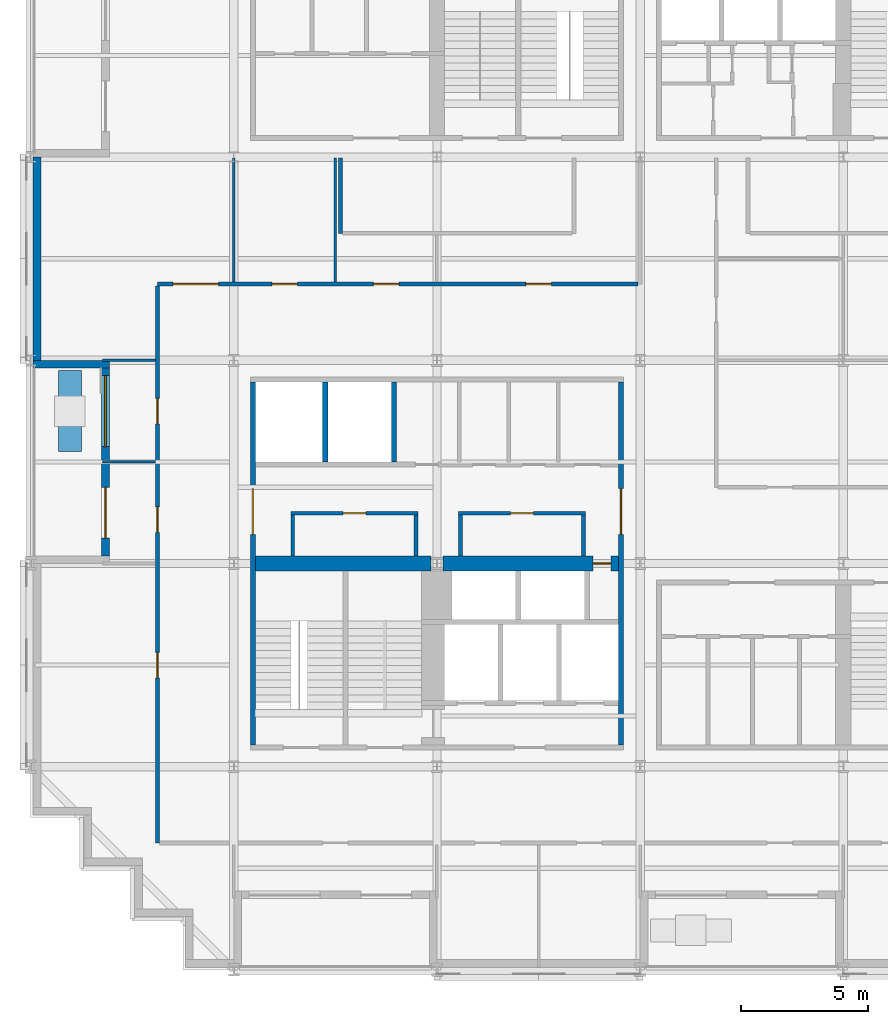
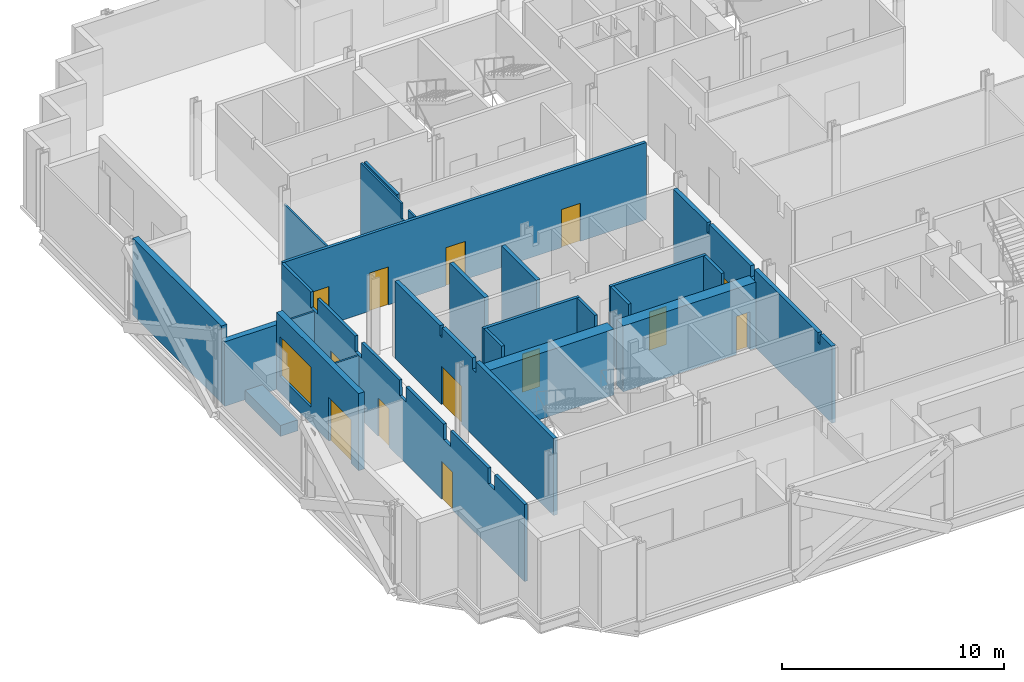
# One storey, part 6 of 14: 23 walls, 13 doors, 1 window, 14 openings.
"""IFC4 building model written with IfcOpenShell, lengths in metres."""

from ifc_helpers import new_model, si_unit, direction, frame, frame_2d, origin, place, context, subcontext, project, spatial, polyline, rectangle, outline, extrude, material, layer, layer_set, type_object, element, fill, save


model = new_model("IFC4")

# Units and contexts
model_context = context("Model", 3, precision=1e-05, world=origin(), true_north=direction((0.0, 1.0)))
body_context = subcontext(model_context, "Body", "Model", "MODEL_VIEW")
ifc_project = project(units=[si_unit("LENGTHUNIT", "METRE"), si_unit("AREAUNIT", "SQUARE_METRE"), si_unit("VOLUMEUNIT", "CUBIC_METRE"), si_unit("PLANEANGLEUNIT", "RADIAN"), si_unit("MASSUNIT", "GRAM", prefix="KILO")], contexts=[model_context])

# Site, building, storey
site_placement = place(None, origin())
site = spatial("IfcSite", under=ifc_project, at=site_placement, CompositionType="ELEMENT")
building_placement = place(site_placement, origin())
building = spatial("IfcBuilding", under=site, at=building_placement, Name="Immortelle Media Tower", CompositionType="ELEMENT")
storey_placement = place(building_placement, frame((0.0, 0.0, 48.0)))
storey = spatial("IfcBuildingStorey", under=building, at=storey_placement, Name="L07", CompositionType="ELEMENT", Elevation=48.0)

# Wall, opening, door
ifc_material_1 = material(Name="Fire-rated masonry blockwork", Category="masonry")
ifc_layer_1 = layer(ifc_material_1, 0.60009765625)
ifc_layer_set_1 = layer_set([ifc_layer_1], Name="Fire-rated masonry blockwork")
wall_type_1 = type_object("IfcWallType", Name="Core grid-line wall 600", PredefinedType="PARTITIONING", material=ifc_layer_set_1)
wall_1_placement = place(storey_placement, frame((16.237548828125, 16.0, 0.0), z_axis=(0.0, 0.0, 1.0), x_axis=(1.0, 0.0, 0.0)))
wall_1 = element("IfcWall", 1, at=wall_1_placement, inside=storey, type_object=wall_type_1, Name="Core grid-line wall SW", PredefinedType="PARTITIONING", context=body_context, shape_type="SweptSolid", body=[
    extrude(rectangle(XDim=6.912353515625, YDim=0.60009765625, at=frame_2d((3.4560546875, 0.0))), origin(), (0.0, 0.0, 1.0), 3.632080078125),
])
opening_1_placement = place(wall_1_placement, frame((6.612548828125, 0.0, 0.0), z_axis=(0.0, 0.0, 1.0), x_axis=(-1.0, 0.0, 0.0)))
opening_1 = element("IfcOpeningElement", 2, at=opening_1_placement, cuts=wall_1, Name="Opening N2-K015", PredefinedType="OPENING", context=body_context, shape_type="SweptSolid", body=[
    extrude(rectangle(XDim=0.699951171875, YDim=2.10009765625, at=frame_2d((0.35009765625, 1.050048828125))), frame((0.0, 0.31005859375, 0.0), z_axis=(0.0, -1.0, 0.0), x_axis=(1.0, 0.0, 0.0)), (0.0, 0.0, 1.0), 0.6201171875),
])
ifc_material_2 = material(Name="Galvanised steel door leaf and frame ASTM A653", Category="steel")
door_type_1 = type_object("IfcDoorType", Name="Service door 700 x 2100", OperationType="NOTDEFINED", PredefinedType="NOTDEFINED", material=ifc_material_2)
door_1_placement = place(opening_1_placement, origin())
door_1 = element("IfcDoor", 3, at=door_1_placement, inside=storey, type_object=door_type_1, Name="Service N2-K015", OperationType="SINGLE_SWING_RIGHT", OverallHeight=2.10009765625, OverallWidth=0.699951171875, PredefinedType="NOTDEFINED", context=body_context, shape_type="SweptSolid", body=[
    extrude(rectangle(XDim=0.699951171875, YDim=2.10009765625, at=frame_2d((0.35009765625, 1.050048828125))), frame((0.0, 0.02490234375, 0.0), z_axis=(0.0, -1.0, 0.0), x_axis=(1.0, 0.0, 0.0)), (0.0, 0.0, 1.0), 0.050048828125),
])
fill(opening_1, door_1)

# Wall
ifc_material_3 = material(Name="Fire-rated gypsum board", Category="gypsum")
ifc_layer_2 = layer(ifc_material_3, 0.02490234375)
ifc_material_4 = material(Name="Steel ASTM A653 SS Gr 50 stud frame with mineral wool", Category="steel")
ifc_layer_3 = layer(ifc_material_4, 0.10009765625)
ifc_layer_4 = layer(ifc_material_3, 0.02490234375)
ifc_layer_set_2 = layer_set([ifc_layer_2, ifc_layer_3, ifc_layer_4], Name="Steel ASTM A653 SS Gr 50 stud frame with mineral wool")
wall_type_2 = type_object("IfcWallType", Name="Core partition 150", PredefinedType="PARTITIONING", material=ifc_layer_set_2)
wall_2_placement = place(storey_placement, frame((10.324951171875, 16.300048828125, 0.0), z_axis=(0.0, 0.0, 1.0), x_axis=(0.0, 1.0, 0.0)))
element("IfcWall", 4, at=wall_2_placement, inside=storey, type_object=wall_type_2, Name="Core partition SW", PredefinedType="PARTITIONING", context=body_context, shape_type="SweptSolid", body=[
    extrude(rectangle(XDim=1.599853515625, YDim=0.14990234375, at=frame_2d((0.7998046875, 0.0))), origin(), (0.0, 0.0, 1.0), 4.25),
])

# Wall, opening, door
wall_3_placement = place(storey_placement, frame((10.25, 17.97509765625, 0.0), z_axis=(0.0, 0.0, 1.0), x_axis=(1.0, 0.0, 0.0)))
wall_3 = element("IfcWall", 5, at=wall_3_placement, inside=storey, type_object=wall_type_2, Name="Core partition SW", PredefinedType="PARTITIONING", context=body_context, shape_type="SweptSolid", body=[
    extrude(rectangle(XDim=5.0, YDim=0.14990234375, at=frame_2d((2.5, 0.0))), origin(), (0.0, 0.0, 1.0), 4.25),
])
opening_2_placement = place(wall_3_placement, frame((2.949951171875, 0.0, 0.0), z_axis=(0.0, 0.0, 1.0), x_axis=(-1.0, 0.0, 0.0)))
opening_2 = element("IfcOpeningElement", 6, at=opening_2_placement, cuts=wall_3, Name="Opening N2-K003", PredefinedType="OPENING", context=body_context, shape_type="SweptSolid", body=[
    extrude(rectangle(XDim=0.89990234375, YDim=2.10009765625, at=frame_2d((0.449951171875, 1.050048828125))), frame((0.0, 0.0849609375, 0.0), z_axis=(0.0, -1.0, 0.0), x_axis=(1.0, 0.0, 0.0)), (0.0, 0.0, 1.0), 0.169921875),
])
ifc_material_5 = material(Name="Timber", Category="wood")
door_type_2 = type_object("IfcDoorType", Name="Room door 900 x 2100", OperationType="NOTDEFINED", PredefinedType="NOTDEFINED", material=ifc_material_5)
door_2_placement = place(opening_2_placement, origin())
door_2 = element("IfcDoor", 7, at=door_2_placement, inside=storey, type_object=door_type_2, Name="Room N2-K003", OperationType="SINGLE_SWING_RIGHT", OverallHeight=2.10009765625, OverallWidth=0.89990234375, PredefinedType="NOTDEFINED", context=body_context, shape_type="SweptSolid", body=[
    extrude(rectangle(XDim=0.89990234375, YDim=2.10009765625, at=frame_2d((0.449951171875, 1.050048828125))), frame((0.0, 0.02490234375, 0.0), z_axis=(0.0, -1.0, 0.0), x_axis=(1.0, 0.0, 0.0)), (0.0, 0.0, 1.0), 0.050048828125),
])
fill(opening_2, door_2)

# Walls
for number, where, z_axis, x_axis, name in (
    (8, (15.175048828125, 16.300048828125, 0.0), (0.0, 0.0, 1.0), (0.0, 1.0, 0.0), "Core partition SW"),
    (9, (16.925048828125, 16.300048828125, 0.0), (0.0, 0.0, 1.0), (0.0, 1.0, 0.0), "Core partition SW"),
):
    element("IfcWall", number, at=place(storey_placement, frame(where, z_axis=z_axis, x_axis=x_axis)), inside=storey, type_object=wall_type_2, Name=name, PredefinedType="PARTITIONING", context=body_context, shape_type="SweptSolid", body=[
        extrude(rectangle(XDim=1.599853515625, YDim=0.14990234375, at=frame_2d((0.7998046875, 0.0))), origin(), (0.0, 0.0, 1.0), 4.25),
    ])

# Wall, opening, door
wall_4_placement = place(storey_placement, frame((16.85009765625, 17.97509765625, 0.0), z_axis=(0.0, 0.0, 1.0), x_axis=(1.0, 0.0, 0.0)))
wall_4 = element("IfcWall", 10, at=wall_4_placement, inside=storey, type_object=wall_type_2, Name="Core partition SW", PredefinedType="PARTITIONING", context=body_context, shape_type="SweptSolid", body=[
    extrude(rectangle(XDim=5.0, YDim=0.14990234375, at=frame_2d((2.5, 0.0))), origin(), (0.0, 0.0, 1.0), 4.25),
])
opening_3_placement = place(wall_4_placement, frame((2.949951171875, 0.0, 0.0), z_axis=(0.0, 0.0, 1.0), x_axis=(-1.0, 0.0, 0.0)))
opening_3 = element("IfcOpeningElement", 11, at=opening_3_placement, cuts=wall_4, Name="Opening N2-K009", PredefinedType="OPENING", context=body_context, shape_type="SweptSolid", body=[
    extrude(rectangle(XDim=0.89990234375, YDim=2.10009765625, at=frame_2d((0.449951171875, 1.050048828125))), frame((0.0, 0.0849609375, 0.0), z_axis=(0.0, -1.0, 0.0), x_axis=(1.0, 0.0, 0.0)), (0.0, 0.0, 1.0), 0.169921875),
])
door_3_placement = place(opening_3_placement, origin())
door_3 = element("IfcDoor", 12, at=door_3_placement, inside=storey, type_object=door_type_2, Name="Room N2-K009", OperationType="SINGLE_SWING_RIGHT", OverallHeight=2.10009765625, OverallWidth=0.89990234375, PredefinedType="NOTDEFINED", context=body_context, shape_type="SweptSolid", body=[
    extrude(rectangle(XDim=0.89990234375, YDim=2.10009765625, at=frame_2d((0.449951171875, 1.050048828125))), frame((0.0, 0.02490234375, 0.0), z_axis=(0.0, -1.0, 0.0), x_axis=(1.0, 0.0, 0.0)), (0.0, 0.0, 1.0), 0.050048828125),
])
fill(opening_3, door_3)

# Walls
wall_5_placement = place(storey_placement, frame((21.77490234375, 16.300048828125, 0.0), z_axis=(0.0, 0.0, 1.0), x_axis=(0.0, 1.0, 0.0)))
element("IfcWall", 13, at=wall_5_placement, inside=storey, type_object=wall_type_2, Name="Core partition SW", PredefinedType="PARTITIONING", context=body_context, shape_type="SweptSolid", body=[
    extrude(rectangle(XDim=1.599853515625, YDim=0.14990234375, at=frame_2d((0.7998046875, 0.0))), origin(), (0.0, 0.0, 1.0), 4.25),
])
ifc_layer_5 = layer(ifc_material_3, 0.03759765625)
ifc_layer_6 = layer(ifc_material_4, 0.125)
ifc_layer_7 = layer(ifc_material_3, 0.03759765625)
ifc_layer_set_3 = layer_set([ifc_layer_5, ifc_layer_6, ifc_layer_7], Name="Steel ASTM A653 SS Gr 50 stud frame with mineral wool")
wall_type_3 = type_object("IfcWallType", Name="Core shaft wall 200", PredefinedType="PARTITIONING", material=ifc_layer_set_3)
for number, where, z_axis, x_axis, name in (
    (14, (11.60009765625, 20.0, 0.0), (0.0, 0.0, 1.0), (0.0, 1.0, 0.0), "Core shaft wall SW"),
    (15, (14.300048828125, 20.0, 0.0), (0.0, 0.0, 1.0), (0.0, 1.0, 0.0), "Core shaft wall SW"),
):
    element("IfcWall", number, at=place(storey_placement, frame(where, z_axis=z_axis, x_axis=x_axis)), inside=storey, type_object=wall_type_3, Name=name, PredefinedType="PARTITIONING", context=body_context, shape_type="SweptSolid", body=[
        extrude(rectangle(XDim=3.14990234375, YDim=0.199951171875, at=frame_2d((1.574951171875, 0.0))), origin(), (0.0, 0.0, 1.0), 4.25),
    ])

# Wall, opening, door
wall_6_placement = place(storey_placement, frame((23.25, 8.85009765625, 0.0), z_axis=(0.0, 0.0, 1.0), x_axis=(0.0, 1.0, 0.0)))
wall_6 = element("IfcWall", 16, at=wall_6_placement, inside=storey, type_object=wall_type_3, Name="Core shaft wall SW", PredefinedType="PARTITIONING", context=body_context, shape_type="SweptSolid", body=[
    extrude(outline(polyline([(0.0, 0.0), (14.2998046875, 0.0), (14.300048828125, 4.25), (11.238525390625, 4.25), (11.237548828125, 3.7080078125), (11.0625, 3.7080078125), (11.0615234375, 4.25), (7.31689453125, 4.25), (7.31591796875, 3.632080078125), (6.98388671875, 3.632080078125), (6.98291015625, 4.25), (1.238525390625, 4.25), (1.237548828125, 3.7080078125), (1.0625, 3.7080078125), (1.0615234375, 4.25), (0.0, 4.25), (0.0, 0.0)])), frame((0.0, 0.10009765625, 0.0), z_axis=(0.0, -1.0, 0.0), x_axis=(1.0, 0.0, 0.0)), (0.0, 0.0, 1.0), 0.199951171875),
])
opening_4_placement = place(wall_6_placement, frame((8.300048828125, 0.0, 0.0)))
opening_4 = element("IfcOpeningElement", 17, at=opening_4_placement, cuts=wall_6, Name="Opening N2-K016", PredefinedType="OPENING", context=body_context, shape_type="SweptSolid", body=[
    extrude(rectangle(XDim=1.800048828125, YDim=2.10009765625, at=frame_2d((0.89990234375, 1.050048828125))), frame((0.0, 0.10986328125, 0.0), z_axis=(0.0, -1.0, 0.0), x_axis=(1.0, 0.0, 0.0)), (0.0, 0.0, 1.0), 0.219970703125),
])
door_type_3 = type_object("IfcDoorType", Name="Lift lobby door 1800 x 2100", OperationType="DOUBLE_DOOR_SINGLE_SWING", PredefinedType="NOTDEFINED", material=ifc_material_2)
door_4_placement = place(opening_4_placement, origin())
door_4 = element("IfcDoor", 18, at=door_4_placement, inside=storey, type_object=door_type_3, Name="Lift lobby N2-K016", OperationType="DOUBLE_DOOR_SINGLE_SWING", OverallHeight=2.10009765625, OverallWidth=1.800048828125, PredefinedType="NOTDEFINED", context=body_context, shape_type="SweptSolid", body=[
    extrude(rectangle(XDim=1.800048828125, YDim=2.10009765625, at=frame_2d((0.89990234375, 1.050048828125))), frame((0.0, 0.02490234375, 0.0), z_axis=(0.0, -1.0, 0.0), x_axis=(1.0, 0.0, 0.0)), (0.0, 0.0, 1.0), 0.050048828125),
])
fill(opening_4, door_4)

# Wall, openings, doors
ifc_layer_8 = layer(ifc_material_3, 0.012451171875)
ifc_layer_9 = layer(ifc_material_4, 0.125)
ifc_layer_10 = layer(ifc_material_3, 0.012451171875)
ifc_layer_set_4 = layer_set([ifc_layer_8, ifc_layer_9, ifc_layer_10], Name="Steel ASTM A653 SS Gr 50 stud frame with mineral wool")
wall_type_4 = type_object("IfcWallType", Name="Corridor wall 150", PredefinedType="PARTITIONING", material=ifc_layer_set_4)
wall_7_placement = place(storey_placement, frame((5.0, 5.0, 0.0), z_axis=(0.0, 0.0, 1.0), x_axis=(0.0, 1.0, 0.0)))
wall_7 = element("IfcWall", 19, at=wall_7_placement, inside=storey, type_object=wall_type_4, Name="Partition L07-008", PredefinedType="PARTITIONING", context=body_context, shape_type="SweptSolid", body=[
    extrude(outline(polyline([(0.0, 0.0), (21.925048828125, 0.0), (21.925048828125, 4.25), (19.300048828125, 4.25), (19.298095703125, 3.39111328125), (18.701904296875, 3.39111328125), (18.699951171875, 4.25), (15.300048828125, 4.25), (15.298095703125, 3.39111328125), (14.701904296875, 3.39111328125), (14.699951171875, 4.25), (11.300048828125, 4.25), (11.298095703125, 3.39111328125), (10.701904296875, 3.39111328125), (10.699951171875, 4.25), (7.300048828125, 4.25), (7.298095703125, 3.39111328125), (6.701904296875, 3.39111328125), (6.699951171875, 4.25), (3.300048828125, 4.25), (3.298095703125, 3.39111328125), (2.701904296875, 3.39111328125), (2.699951171875, 4.25), (0.0, 4.25), (0.0, 0.0)])), frame((0.0, 0.074951171875, 0.0), z_axis=(0.0, -1.0, 0.0), x_axis=(1.0, 0.0, 0.0)), (0.0, 0.0, 1.0), 0.14990234375),
])
opening_5_placement = place(wall_7_placement, frame((6.5, 0.0, 0.0)))
opening_5 = element("IfcOpeningElement", 20, at=opening_5_placement, cuts=wall_7, Name="Opening N2-F007", PredefinedType="OPENING", context=body_context, shape_type="SweptSolid", body=[
    extrude(rectangle(XDim=1.0, YDim=2.10009765625, at=frame_2d((0.5, 1.050048828125))), frame((0.0, 0.0849609375, 0.0), z_axis=(0.0, -1.0, 0.0), x_axis=(1.0, 0.0, 0.0)), (0.0, 0.0, 1.0), 0.169921875),
])
opening_6_placement = place(wall_7_placement, frame((12.22509765625, 0.0, 0.0)))
opening_6 = element("IfcOpeningElement", 21, at=opening_6_placement, cuts=wall_7, Name="Opening N2-F009", PredefinedType="OPENING", context=body_context, shape_type="SweptSolid", body=[
    extrude(rectangle(XDim=1.0, YDim=2.10009765625, at=frame_2d((0.5, 1.050048828125))), frame((0.0, 0.0849609375, 0.0), z_axis=(0.0, -1.0, 0.0), x_axis=(1.0, 0.0, 0.0)), (0.0, 0.0, 1.0), 0.169921875),
])
opening_7_placement = place(wall_7_placement, frame((16.5, 0.0, 0.0)))
opening_7 = element("IfcOpeningElement", 22, at=opening_7_placement, cuts=wall_7, Name="Opening N2-F010", PredefinedType="OPENING", context=body_context, shape_type="SweptSolid", body=[
    extrude(rectangle(XDim=1.0, YDim=2.10009765625, at=frame_2d((0.5, 1.050048828125))), frame((0.0, 0.0849609375, 0.0), z_axis=(0.0, -1.0, 0.0), x_axis=(1.0, 0.0, 0.0)), (0.0, 0.0, 1.0), 0.169921875),
])
ifc_material_6 = material(Name="Timber veneered door leaf, galvanised steel frame ASTM A653", Category="steel")
door_type_4 = type_object("IfcDoorType", Name="Room door 1000 x 2100", OperationType="NOTDEFINED", PredefinedType="DOOR", material=ifc_material_6)
door_5_placement = place(opening_5_placement, origin())
door_5 = element("IfcDoor", 23, at=door_5_placement, inside=storey, type_object=door_type_4, Name="Door N2-F007", OperationType="SINGLE_SWING_RIGHT", OverallHeight=2.10009765625, OverallWidth=1.0, PredefinedType="DOOR", context=body_context, shape_type="SweptSolid", body=[
    extrude(rectangle(XDim=1.0, YDim=2.10009765625, at=frame_2d((0.5, 1.050048828125))), frame((0.0, 0.02490234375, 0.0), z_axis=(0.0, -1.0, 0.0), x_axis=(1.0, 0.0, 0.0)), (0.0, 0.0, 1.0), 0.050048828125),
])
fill(opening_5, door_5)
door_6_placement = place(opening_6_placement, origin())
door_6 = element("IfcDoor", 24, at=door_6_placement, inside=storey, type_object=door_type_4, Name="Door N2-F009", OperationType="SINGLE_SWING_LEFT", OverallHeight=2.10009765625, OverallWidth=1.0, PredefinedType="DOOR", context=body_context, shape_type="SweptSolid", body=[
    extrude(rectangle(XDim=1.0, YDim=2.10009765625, at=frame_2d((0.5, 1.050048828125))), frame((0.0, 0.02490234375, 0.0), z_axis=(0.0, -1.0, 0.0), x_axis=(1.0, 0.0, 0.0)), (0.0, 0.0, 1.0), 0.050048828125),
])
fill(opening_6, door_6)
door_7_placement = place(opening_7_placement, origin())
door_7 = element("IfcDoor", 25, at=door_7_placement, inside=storey, type_object=door_type_4, Name="Door N2-F010", OperationType="SINGLE_SWING_RIGHT", OverallHeight=2.10009765625, OverallWidth=1.0, PredefinedType="DOOR", context=body_context, shape_type="SweptSolid", body=[
    extrude(rectangle(XDim=1.0, YDim=2.10009765625, at=frame_2d((0.5, 1.050048828125))), frame((0.0, 0.02490234375, 0.0), z_axis=(0.0, -1.0, 0.0), x_axis=(1.0, 0.0, 0.0)), (0.0, 0.0, 1.0), 0.050048828125),
])
fill(opening_7, door_7)

wall_8_placement = place(storey_placement, frame((5.0, 27.0, 0.0), z_axis=(0.0, 0.0, 1.0), x_axis=(1.0, 0.0, 0.0)))
wall_8 = element("IfcWall", 26, at=wall_8_placement, inside=storey, type_object=wall_type_4, Name="Partition L07-022", PredefinedType="PARTITIONING", context=body_context, shape_type="SweptSolid", body=[
    extrude(rectangle(XDim=18.925048828125, YDim=0.14990234375, at=frame_2d((9.46240234375, 0.0))), origin(), (0.0, 0.0, 1.0), 4.25),
])
opening_8_placement = place(wall_8_placement, frame((14.5, 0.0, 0.0)))
opening_8 = element("IfcOpeningElement", 27, at=opening_8_placement, cuts=wall_8, Name="Opening N2-F015", PredefinedType="OPENING", context=body_context, shape_type="SweptSolid", body=[
    extrude(rectangle(XDim=1.0, YDim=2.10009765625, at=frame_2d((0.5, 1.050048828125))), frame((0.0, 0.0849609375, 0.0), z_axis=(0.0, -1.0, 0.0), x_axis=(1.0, 0.0, 0.0)), (0.0, 0.0, 1.0), 0.169921875),
])
opening_9_placement = place(wall_8_placement, frame((4.5, 0.0, 0.0)))
opening_9 = element("IfcOpeningElement", 28, at=opening_9_placement, cuts=wall_8, Name="Opening N2-F016", PredefinedType="OPENING", context=body_context, shape_type="SweptSolid", body=[
    extrude(rectangle(XDim=1.0, YDim=2.10009765625, at=frame_2d((0.5, 1.050048828125))), frame((0.0, 0.0849609375, 0.0), z_axis=(0.0, -1.0, 0.0), x_axis=(1.0, 0.0, 0.0)), (0.0, 0.0, 1.0), 0.169921875),
])
opening_10_placement = place(wall_8_placement, frame((8.5, 0.0, 0.0)))
opening_10 = element("IfcOpeningElement", 29, at=opening_10_placement, cuts=wall_8, Name="Opening N2-F017", PredefinedType="OPENING", context=body_context, shape_type="SweptSolid", body=[
    extrude(rectangle(XDim=1.0, YDim=2.10009765625, at=frame_2d((0.5, 1.050048828125))), frame((0.0, 0.0849609375, 0.0), z_axis=(0.0, -1.0, 0.0), x_axis=(1.0, 0.0, 0.0)), (0.0, 0.0, 1.0), 0.169921875),
])
opening_11_placement = place(wall_8_placement, frame((0.60009765625, 0.0, 0.0)))
opening_11 = element("IfcOpeningElement", 30, at=opening_11_placement, cuts=wall_8, Name="Opening N2-F019", PredefinedType="OPENING", context=body_context, shape_type="SweptSolid", body=[
    extrude(rectangle(XDim=1.800048828125, YDim=2.10009765625, at=frame_2d((0.89990234375, 1.050048828125))), frame((0.0, 0.0849609375, 0.0), z_axis=(0.0, -1.0, 0.0), x_axis=(1.0, 0.0, 0.0)), (0.0, 0.0, 1.0), 0.169921875),
])
door_8_placement = place(opening_8_placement, origin())
door_8 = element("IfcDoor", 31, at=door_8_placement, inside=storey, type_object=door_type_4, Name="Door N2-F015", OperationType="SINGLE_SWING_LEFT", OverallHeight=2.10009765625, OverallWidth=1.0, PredefinedType="DOOR", context=body_context, shape_type="SweptSolid", body=[
    extrude(rectangle(XDim=1.0, YDim=2.10009765625, at=frame_2d((0.5, 1.050048828125))), frame((0.0, 0.02490234375, 0.0), z_axis=(0.0, -1.0, 0.0), x_axis=(1.0, 0.0, 0.0)), (0.0, 0.0, 1.0), 0.050048828125),
])
fill(opening_8, door_8)
door_9_placement = place(opening_9_placement, origin())
door_9 = element("IfcDoor", 32, at=door_9_placement, inside=storey, type_object=door_type_4, Name="Door N2-F016", OperationType="SINGLE_SWING_RIGHT", OverallHeight=2.10009765625, OverallWidth=1.0, PredefinedType="DOOR", context=body_context, shape_type="SweptSolid", body=[
    extrude(rectangle(XDim=1.0, YDim=2.10009765625, at=frame_2d((0.5, 1.050048828125))), frame((0.0, 0.02490234375, 0.0), z_axis=(0.0, -1.0, 0.0), x_axis=(1.0, 0.0, 0.0)), (0.0, 0.0, 1.0), 0.050048828125),
])
fill(opening_9, door_9)
door_10_placement = place(opening_10_placement, origin())
door_10 = element("IfcDoor", 33, at=door_10_placement, inside=storey, type_object=door_type_4, Name="Door N2-F017", OperationType="SINGLE_SWING_LEFT", OverallHeight=2.10009765625, OverallWidth=1.0, PredefinedType="DOOR", context=body_context, shape_type="SweptSolid", body=[
    extrude(rectangle(XDim=1.0, YDim=2.10009765625, at=frame_2d((0.5, 1.050048828125))), frame((0.0, 0.02490234375, 0.0), z_axis=(0.0, -1.0, 0.0), x_axis=(1.0, 0.0, 0.0)), (0.0, 0.0, 1.0), 0.050048828125),
])
fill(opening_10, door_10)
door_type_5 = type_object("IfcDoorType", Name="Room door 1800 x 2100", OperationType="DOUBLE_DOOR_SINGLE_SWING", PredefinedType="DOOR", material=ifc_material_6)
door_11_placement = place(opening_11_placement, origin())
door_11 = element("IfcDoor", 34, at=door_11_placement, inside=storey, type_object=door_type_5, Name="Door N2-F019", OperationType="DOUBLE_DOOR_SINGLE_SWING", OverallHeight=2.10009765625, OverallWidth=1.800048828125, PredefinedType="DOOR", context=body_context, shape_type="SweptSolid", body=[
    extrude(rectangle(XDim=1.800048828125, YDim=2.10009765625, at=frame_2d((0.89990234375, 1.050048828125))), frame((0.0, 0.02490234375, 0.0), z_axis=(0.0, -1.0, 0.0), x_axis=(1.0, 0.0, 0.0)), (0.0, 0.0, 1.0), 0.050048828125),
])
fill(opening_11, door_11)

# Walls
wall_9_placement = place(storey_placement, frame((12.199951171875, 29.0, 0.0), z_axis=(0.0, 0.0, 1.0), x_axis=(0.0, 1.0, 0.0)))
element("IfcWall", 35, at=wall_9_placement, inside=storey, type_object=wall_type_4, Name="Partition L07-030", PredefinedType="PARTITIONING", context=body_context, shape_type="SweptSolid", body=[
    extrude(rectangle(XDim=2.969970703125, YDim=0.14990234375, at=frame_2d((1.48486328125, 0.0))), origin(), (0.0, 0.0, 1.0), 4.25),
])
ifc_material_7 = material(Name="Pale aluminium cladding panel", Category="aluminium")
ifc_layer_11 = layer(ifc_material_7, 0.030029296875)
ifc_layer_12 = layer(ifc_material_4, 0.257568359375)
ifc_material_8 = material(Name="Moisture-resistant gypsum board", Category="gypsum")
ifc_layer_13 = layer(ifc_material_8, 0.012451171875)
ifc_layer_set_5 = layer_set([ifc_layer_11, ifc_layer_12, ifc_layer_13], Name="Steel ASTM A653 SS Gr 50 stud frame with mineral wool")
wall_type_5 = type_object("IfcWallType", Name="Facade wall 300", PredefinedType="SOLIDWALL", material=ifc_layer_set_5)
wall_10_placement = place(storey_placement, frame((0.25, 32.0, 0.0), z_axis=(0.0, 0.0, 1.0), x_axis=(0.0, -1.0, 0.0)))
element("IfcWall", 36, at=wall_10_placement, inside=storey, type_object=wall_type_5, Name="Facade wall L07 W0", PredefinedType="SOLIDWALL", context=body_context, shape_type="SweptSolid", body=[
    extrude(rectangle(XDim=8.0, YDim=0.300048828125, at=frame_2d((4.0, 0.0))), origin(), (0.0, 0.0, 1.0), 4.25),
])

# Wall, openings, door, window
wall_11_placement = place(storey_placement, frame((2.949951171875, 23.699951171875, 0.0), z_axis=(0.0, 0.0, 1.0), x_axis=(0.0, -1.0, 0.0)))
wall_11 = element("IfcWall", 37, at=wall_11_placement, inside=storey, type_object=wall_type_5, Name="Loggia wall L07 W0", PredefinedType="SOLIDWALL", context=body_context, shape_type="SweptSolid", body=[
    extrude(rectangle(XDim=7.39990234375, YDim=0.300048828125, at=frame_2d((3.699951171875, 0.0))), origin(), (0.0, 0.0, 1.0), 4.25),
])
opening_12_placement = place(wall_11_placement, frame((0.300048828125, 0.0, 0.89990234375)))
opening_12 = element("IfcOpeningElement", 38, at=opening_12_placement, cuts=wall_11, Name="Opening W1", PredefinedType="OPENING", context=body_context, shape_type="SweptSolid", body=[
    extrude(rectangle(XDim=2.800048828125, YDim=2.199951171875, at=frame_2d((1.39990234375, 1.10009765625))), frame((0.0, 0.159912109375, 0.0), z_axis=(0.0, -1.0, 0.0), x_axis=(1.0, 0.0, 0.0)), (0.0, 0.0, 1.0), 0.320068359375),
])
opening_13_placement = place(wall_11_placement, frame((4.699951171875, 0.0, 0.0)))
opening_13 = element("IfcOpeningElement", 39, at=opening_13_placement, cuts=wall_11, Name="Opening N2-E002", PredefinedType="OPENING", context=body_context, shape_type="SweptSolid", body=[
    extrude(rectangle(XDim=2.0, YDim=2.39990234375, at=frame_2d((1.0, 1.199951171875))), frame((0.0, 0.159912109375, 0.0), z_axis=(0.0, -1.0, 0.0), x_axis=(1.0, 0.0, 0.0)), (0.0, 0.0, 1.0), 0.320068359375),
])
ifc_material_9 = material(Name="Aluminium frame, glazed leaves", Category="aluminium")
door_type_6 = type_object("IfcDoorType", Name="Loggia door 2000 x 2400", OperationType="DOUBLE_DOOR_SINGLE_SWING", PredefinedType="DOOR", material=ifc_material_9)
door_12_placement = place(opening_13_placement, origin())
door_12 = element("IfcDoor", 40, at=door_12_placement, inside=storey, type_object=door_type_6, Name="Door N2-E002", OperationType="DOUBLE_DOOR_SINGLE_SWING", OverallHeight=2.39990234375, OverallWidth=2.0, PredefinedType="DOOR", context=body_context, shape_type="SweptSolid", body=[
    extrude(rectangle(XDim=2.0, YDim=2.39990234375, at=frame_2d((1.0, 1.199951171875))), frame((0.0, 0.02490234375, 0.0), z_axis=(0.0, -1.0, 0.0), x_axis=(1.0, 0.0, 0.0)), (0.0, 0.0, 1.0), 0.050048828125),
])
fill(opening_13, door_12)
ifc_material_10 = material(Name="Aluminium frame", Category="aluminium")
window_type = type_object("IfcWindowType", Name="Window 2800 x 2200", PartitioningType="SINGLE_PANEL", PredefinedType="WINDOW", material=ifc_material_10)
window_placement = place(opening_12_placement, origin())
window = element("IfcWindow", 41, at=window_placement, inside=storey, type_object=window_type, Name="Window L07 L07-R0-B2", OverallHeight=2.199951171875, OverallWidth=2.800048828125, PartitioningType="SINGLE_PANEL", PredefinedType="WINDOW", context=body_context, shape_type="SweptSolid", body=[
    extrude(rectangle(XDim=2.800048828125, YDim=2.199951171875, at=frame_2d((1.39990234375, 1.10009765625))), frame((0.0, 0.030029296875, 0.0), z_axis=(0.0, -1.0, 0.0), x_axis=(1.0, 0.0, 0.0)), (0.0, 0.0, 1.0), 0.06005859375),
])
fill(opening_12, window)

# Walls
wall_12_placement = place(storey_placement, frame((0.10009765625, 23.85009765625, 0.0), z_axis=(0.0, 0.0, 1.0), x_axis=(1.0, 0.0, 0.0)))
element("IfcWall", 42, at=wall_12_placement, inside=storey, type_object=wall_type_5, Name="Loggia cheek wall L07 W", PredefinedType="SOLIDWALL", context=body_context, shape_type="SweptSolid", body=[
    extrude(rectangle(XDim=3.0, YDim=0.300048828125, at=frame_2d((1.5, 0.0))), origin(), (0.0, 0.0, 1.0), 3.552978515625),
])
ifc_material_11 = material(Name="Gypsum board", Category="gypsum")
ifc_layer_14 = layer(ifc_material_11, 0.012451171875)
ifc_layer_15 = layer(ifc_material_4, 0.074951171875)
ifc_layer_16 = layer(ifc_material_11, 0.012451171875)
ifc_layer_set_6 = layer_set([ifc_layer_14, ifc_layer_15, ifc_layer_16], Name="Steel ASTM A653 SS Gr 50 stud frame with mineral wool")
wall_type_6 = type_object("IfcWallType", Name="Partition 100", PredefinedType="PARTITIONING", material=ifc_layer_set_6)
for number, where, z_axis, x_axis, name in (
    (43, (2.830078125, 20.0, 0.0), (0.0, 0.0, 1.0), (1.0, 0.0, 0.0), "Partition L07-016"),
    (44, (2.830078125, 24.0, 0.0), (0.0, 0.0, 1.0), (1.0, 0.0, 0.0), "Partition L07-017"),
):
    element("IfcWall", number, at=place(storey_placement, frame(where, z_axis=z_axis, x_axis=x_axis)), inside=storey, type_object=wall_type_6, Name=name, PredefinedType="PARTITIONING", context=body_context, shape_type="SweptSolid", body=[
        extrude(rectangle(XDim=2.094970703125, YDim=0.10009765625, at=frame_2d((1.04736328125, 0.0))), origin(), (0.0, 0.0, 1.0), 3.39111328125),
    ])
wall_13_placement = place(storey_placement, frame((8.0, 27.074951171875, 0.0), z_axis=(0.0, 0.0, 1.0), x_axis=(0.0, 1.0, 0.0)))
element("IfcWall", 45, at=wall_13_placement, inside=storey, type_object=wall_type_6, Name="Partition L07-023", PredefinedType="PARTITIONING", context=body_context, shape_type="SweptSolid", body=[
    extrude(rectangle(XDim=4.89501953125, YDim=0.10009765625, at=frame_2d((2.447509765625, 0.0))), origin(), (0.0, 0.0, 1.0), 3.39111328125),
])
wall_14_placement = place(storey_placement, frame((12.0, 27.074951171875, 0.0), z_axis=(0.0, 0.0, 1.0), x_axis=(0.0, 1.0, 0.0)))
element("IfcWall", 46, at=wall_14_placement, inside=storey, type_object=wall_type_6, Name="Partition L07-024", PredefinedType="PARTITIONING", context=body_context, shape_type="SweptSolid", body=[
    extrude(outline(polyline([(0.0, 0.0), (4.89501953125, 0.0), (4.89501953125, 4.25), (1.22509765625, 4.25), (1.222900390625, 3.39111328125), (0.626953125, 3.39111328125), (0.625, 4.25), (0.0, 4.25), (0.0, 0.0)])), frame((0.0, 0.050048828125, 0.0), z_axis=(0.0, -1.0, 0.0), x_axis=(1.0, 0.0, 0.0)), (0.0, 0.0, 1.0), 0.10009765625),
])
ifc_layer_17 = layer(ifc_material_7, 0.0029296875)
ifc_material_12 = material(Name="Steel ASTM A572 Gr 50 planter shell", Category="steel")
ifc_layer_18 = layer(ifc_material_12, 0.011962890625)
ifc_material_13 = material(Name="Planting substrate", Category="soil")
ifc_layer_19 = layer(ifc_material_13, 0.873046875)
ifc_layer_20 = layer(ifc_material_12, 0.011962890625)
ifc_layer_set_7 = layer_set([ifc_layer_17, ifc_layer_18, ifc_layer_19, ifc_layer_20], Name="Steel ASTM A572 Gr 50 planter shell")
wall_type_7 = type_object("IfcWallType", Name="Planter wall 900", PredefinedType="SOLIDWALL", material=ifc_layer_set_7)
wall_15_placement = place(storey_placement, frame((1.550048828125, 23.60009765625, 0.0), z_axis=(0.0, 0.0, 1.0), x_axis=(0.0, -1.0, 0.0)))
element("IfcWall", 47, at=wall_15_placement, inside=storey, type_object=wall_type_7, Name="Planter L07 W2", PredefinedType="SOLIDWALL", context=body_context, shape_type="SweptSolid", body=[
    extrude(rectangle(XDim=3.2001953125, YDim=0.89990234375, at=frame_2d((1.60009765625, 0.0))), origin(), (0.0, 0.0, 1.0), 0.60009765625),
])

# Wall, opening, door
ifc_material_14 = material(Name="Concrete C60", Category="concrete")
ifc_layer_21 = layer(ifc_material_14, 0.199951171875)
ifc_layer_set_8 = layer_set([ifc_layer_21], Name="Concrete C60")
wall_type_8 = type_object("IfcWallType", Name="Stair shaft wall 200", PredefinedType="PARTITIONING", material=ifc_layer_set_8)
wall_16_placement = place(storey_placement, frame((8.75, 8.85009765625, 0.0), z_axis=(0.0, 0.0, 1.0), x_axis=(0.0, 1.0, 0.0)))
wall_16 = element("IfcWall", 48, at=wall_16_placement, inside=storey, type_object=wall_type_8, Name="Stair shaft wall SW", PredefinedType="PARTITIONING", context=body_context, shape_type="SweptSolid", body=[
    extrude(outline(polyline([(0.0, 0.0), (14.2998046875, 0.0), (14.300048828125, 4.25), (10.238525390625, 4.25), (10.237548828125, 3.7080078125), (10.0625, 3.7080078125), (10.0615234375, 4.25), (7.31689453125, 4.25), (7.31591796875, 3.632080078125), (6.98388671875, 3.632080078125), (6.98291015625, 4.25), (0.0, 4.25), (0.0, 0.0)])), frame((0.0, 0.10009765625, 0.0), z_axis=(0.0, -1.0, 0.0), x_axis=(1.0, 0.0, 0.0)), (0.0, 0.0, 1.0), 0.199951171875),
])
opening_14_placement = place(wall_16_placement, frame((8.300048828125, 0.0, 0.0)))
opening_14 = element("IfcOpeningElement", 49, at=opening_14_placement, cuts=wall_16, Name="Opening N2-K001", PredefinedType="OPENING", context=body_context, shape_type="SweptSolid", body=[
    extrude(rectangle(XDim=1.800048828125, YDim=2.10009765625, at=frame_2d((0.89990234375, 1.050048828125))), frame((0.0, 0.10986328125, 0.0), z_axis=(0.0, -1.0, 0.0), x_axis=(1.0, 0.0, 0.0)), (0.0, 0.0, 1.0), 0.219970703125),
])
door_13_placement = place(opening_14_placement, origin())
door_13 = element("IfcDoor", 50, at=door_13_placement, inside=storey, type_object=door_type_3, Name="Lift lobby N2-K001", OperationType="DOUBLE_DOOR_SINGLE_SWING", OverallHeight=2.10009765625, OverallWidth=1.800048828125, PredefinedType="NOTDEFINED", context=body_context, shape_type="SweptSolid", body=[
    extrude(rectangle(XDim=1.800048828125, YDim=2.10009765625, at=frame_2d((0.89990234375, 1.050048828125))), frame((0.0, 0.02490234375, 0.0), z_axis=(0.0, -1.0, 0.0), x_axis=(1.0, 0.0, 0.0)), (0.0, 0.0, 1.0), 0.050048828125),
])
fill(opening_14, door_13)

# Wall
ifc_layer_22 = layer(ifc_material_14, 0.60009765625)
ifc_layer_set_9 = layer_set([ifc_layer_22], Name="Concrete C60")
wall_type_9 = type_object("IfcWallType", Name="Stair shaft wall 600", PredefinedType="PARTITIONING", material=ifc_layer_set_9)
wall_17_placement = place(storey_placement, frame((8.85009765625, 16.0, 0.0), z_axis=(0.0, 0.0, 1.0), x_axis=(1.0, 0.0, 0.0)))
element("IfcWall", 51, at=wall_17_placement, inside=storey, type_object=wall_type_9, Name="Stair shaft wall SW", PredefinedType="PARTITIONING", context=body_context, shape_type="SweptSolid", body=[
    extrude(rectangle(XDim=6.912353515625, YDim=0.60009765625, at=frame_2d((3.4560546875, 0.0))), origin(), (0.0, 0.0, 1.0), 3.632080078125),
])

save(model, "model.ifc")
